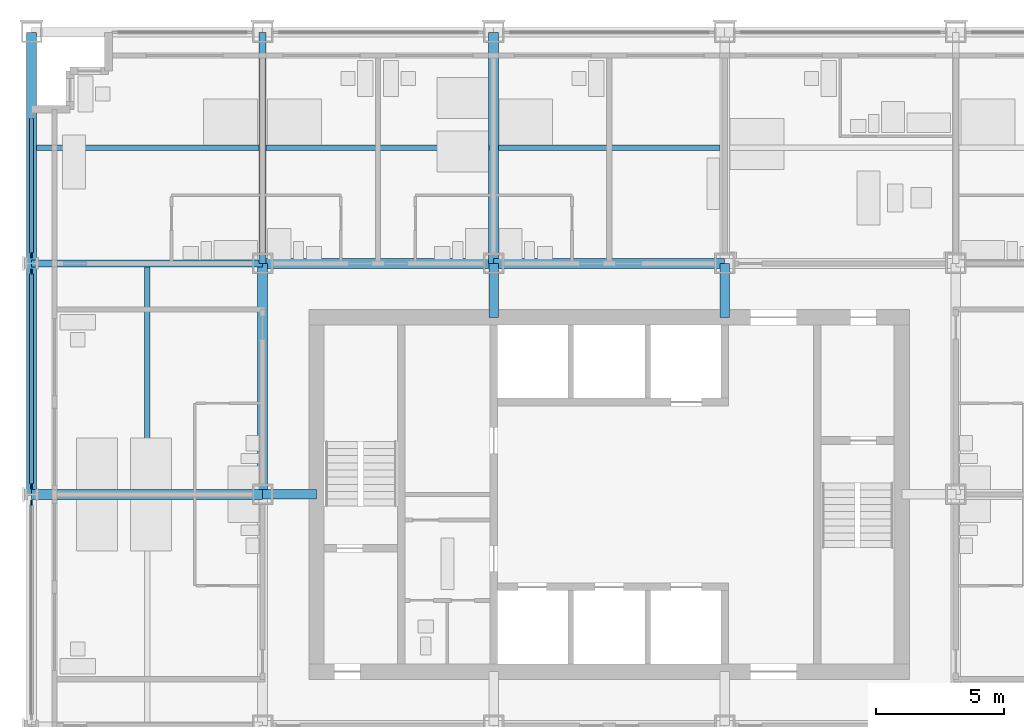
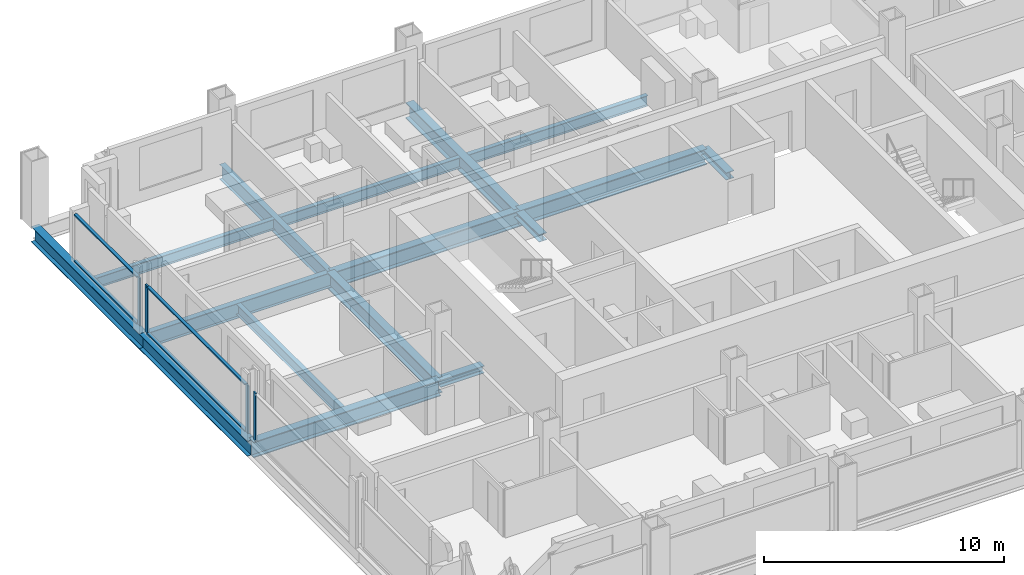
# One storey, part 4 of 16: 13 beams, 11 members, 3 elements without a shape of their own.
"""IFC4 building model written with IfcOpenShell, lengths in metres."""

from ifc_helpers import new_model, si_unit, direction, frame, origin, origin_2d, place, context, subcontext, project, spatial, rectangle, i_section, extrude, material, material_profile, profile_set, type_object, element, aggregate, save


model = new_model("IFC4")

# Units and contexts
model_context = context("Model", 3, precision=1e-05, world=origin(), true_north=direction((0.0, 1.0)))
body_context = subcontext(model_context, "Body", "Model", "MODEL_VIEW")
ifc_project = project(units=[si_unit("LENGTHUNIT", "METRE"), si_unit("AREAUNIT", "SQUARE_METRE"), si_unit("VOLUMEUNIT", "CUBIC_METRE"), si_unit("PLANEANGLEUNIT", "RADIAN"), si_unit("MASSUNIT", "GRAM", prefix="KILO")], contexts=[model_context])

# Site, building, storey
site_placement = place(None, origin())
site = spatial("IfcSite", under=ifc_project, at=site_placement, CompositionType="ELEMENT")
building_placement = place(site_placement, origin())
building = spatial("IfcBuilding", under=site, at=building_placement, Name="Loomwork Tower", CompositionType="ELEMENT")
storey_placement = place(building_placement, frame((0.0, 0.0, 135.0)))
storey = spatial("IfcBuildingStorey", under=building, at=storey_placement, Name="L36", CompositionType="ELEMENT", Elevation=135.0)

# Beams
ifc_material_1 = material(Name="Steel ASTM A992", Category="steel")
ifc_material_profile_1 = material_profile(ifc_material_1, i_section(OverallWidth=0.383544921875, OverallDepth=0.794921875, WebThickness=0.02099609375, FlangeThickness=0.0380859375, at=origin_2d()), Name="W30x235")
ifc_profile_set_1 = profile_set([ifc_material_profile_1], Name="Steel ASTM A992")
beam_type_1 = type_object("IfcBeamType", Name="CORE FLANK GIRDER W30x235", PredefinedType="BEAM", material=ifc_profile_set_1)
for number, where, z_axis, x_axis, name in (
    (1, (0.0, 18.0, -0.597412109375), (1.0, 0.0, 0.0), (0.0, 1.0, 0.0), "Core Flank Girder F/2-F/3 L36"),
    (2, (9.0, 27.0, -0.597412109375), (1.0, 0.0, 0.0), (0.0, 1.0, 0.0), "Core Flank Girder G/3-G/4 L36"),
    (3, (18.0, 27.0, -0.597412109375), (1.0, 0.0, 0.0), (0.0, 1.0, 0.0), "Core Flank Girder G/4-G/5 L36"),
    (4, (9.0, 18.0, -0.597412109375), (0.0, 1.0, 0.0), (-1.0, 0.0, 0.0), "Core Flank Girder F/3-G/3 L36"),
    (5, (18.0, 27.0, -0.597412109375), (0.0, 1.0, 0.0), (-1.0, 0.0, 0.0), "Core Flank Girder G/4-H/4 L36"),
):
    element("IfcBeam", number, at=place(storey_placement, frame(where, z_axis=z_axis, x_axis=x_axis)), inside=storey, type_object=beam_type_1, Name=name, PredefinedType="BEAM", context=body_context, shape_type="SweptSolid", body=[
        extrude(i_section(OverallWidth=0.383544921875, OverallDepth=0.794921875, WebThickness=0.02099609375, FlangeThickness=0.0380859375, at=origin_2d()), origin(), (0.0, 0.0, 1.0), 9.0),
    ])

# Members
ifc_material_2 = material(Name="Steel ASTM A992", Category="steel")
ifc_material_profile_2 = material_profile(ifc_material_2, i_section(OverallWidth=0.373291015625, OverallDepth=0.373291015625, WebThickness=0.016357421875, FlangeThickness=0.026123046875, at=origin_2d()), Name="W14x132")
ifc_profile_set_2 = profile_set([ifc_material_profile_2], Name="Steel ASTM A992")
member_type_1 = type_object("IfcMemberType", Name="CORE LINK STRUT W14x132", PredefinedType="STRUT", material=ifc_profile_set_2)
for number, where, z_axis, x_axis, name in (
    (6, (27.0, 27.0, -0.38671875), (0.0, -1.0, 0.0), (1.0, 0.0, 0.0), "Core link strut G/5-27.000,24.900 L36"),
    (7, (18.0, 27.0, -0.38671875), (0.0, -1.0, 0.0), (1.0, 0.0, 0.0), "Core link strut G/4-18.000,24.900 L36"),
    (8, (9.0, 18.0, -0.38671875), (1.0, 0.0, 0.0), (0.0, 1.0, 0.0), "Core link strut F/3-11.100,18.000 L36"),
):
    element("IfcMember", number, at=place(storey_placement, frame(where, z_axis=z_axis, x_axis=x_axis)), inside=storey, type_object=member_type_1, Name=name, PredefinedType="STRUT", context=body_context, shape_type="SweptSolid", body=[
        extrude(i_section(OverallWidth=0.373291015625, OverallDepth=0.373291015625, WebThickness=0.016357421875, FlangeThickness=0.026123046875, at=origin_2d()), origin(), (0.0, 0.0, 1.0), 2.10009765625),
    ])

# Beams
ifc_material_3 = material(Name="Steel ASTM A992", Category="steel")
ifc_material_profile_3 = material_profile(ifc_material_3, i_section(OverallWidth=0.2666015625, OverallDepth=0.761962890625, WebThickness=0.014404296875, FlangeThickness=0.021484375, at=origin_2d()), Name="W30x116")
ifc_profile_set_3 = profile_set([ifc_material_profile_3], Name="Steel ASTM A992")
beam_type_2 = type_object("IfcBeamType", Name="FLOOR GIRDER W30x116", PredefinedType="BEAM", material=ifc_profile_set_3)
for number, where, z_axis, x_axis, name in (
    (9, (0.0, 27.0, -0.5810546875), (1.0, 0.0, 0.0), (0.0, 1.0, 0.0), "Floor Girder G/2-G/3 L36"),
    (10, (9.0, 27.0, -0.5810546875), (0.0, 1.0, 0.0), (-1.0, 0.0, 0.0), "Floor Girder G/3-H/3 L36"),
):
    element("IfcBeam", number, at=place(storey_placement, frame(where, z_axis=z_axis, x_axis=x_axis)), inside=storey, type_object=beam_type_2, Name=name, PredefinedType="BEAM", context=body_context, shape_type="SweptSolid", body=[
        extrude(i_section(OverallWidth=0.2666015625, OverallDepth=0.761962890625, WebThickness=0.014404296875, FlangeThickness=0.021484375, at=origin_2d()), origin(), (0.0, 0.0, 1.0), 9.0),
    ])
ifc_material_4 = material(Name="Steel ASTM A992", Category="steel")
ifc_material_profile_4 = material_profile(ifc_material_4, i_section(OverallWidth=0.2109375, OverallDepth=0.53857421875, WebThickness=0.011474609375, FlangeThickness=0.018798828125, at=origin_2d()), Name="W21x73")
ifc_profile_set_4 = profile_set([ifc_material_profile_4], Name="Steel ASTM A992")
beam_type_3 = type_object("IfcBeamType", Name="FLOOR JOIST W21x73", PredefinedType="JOIST", material=ifc_profile_set_4)
beam_1_placement = place(storey_placement, frame((4.5, 18.19091796875, -0.46923828125), z_axis=(0.0, 1.0, 0.0), x_axis=(-1.0, 0.0, 0.0)))
element("IfcBeam", 11, at=beam_1_placement, inside=storey, type_object=beam_type_3, Name="Floor Joist 4.500,18.000-4.500,27.000 L36", PredefinedType="JOIST", context=body_context, shape_type="SweptSolid", body=[
    extrude(i_section(OverallWidth=0.2109375, OverallDepth=0.53857421875, WebThickness=0.011474609375, FlangeThickness=0.018798828125, at=origin_2d()), origin(), (0.0, 0.0, 1.0), 8.676025390625),
])
beam_2_placement = place(storey_placement, frame((0.18994140625, 31.5, -0.46923828125), z_axis=(1.0, 0.0, 0.0), x_axis=(0.0, 1.0, 0.0)))
element("IfcBeam", 12, at=beam_2_placement, inside=storey, type_object=beam_type_3, Name="Floor Joist 0.000,31.500-9.000,31.500 L36", PredefinedType="JOIST", context=body_context, shape_type="SweptSolid", body=[
    extrude(i_section(OverallWidth=0.2109375, OverallDepth=0.53857421875, WebThickness=0.011474609375, FlangeThickness=0.018798828125, at=origin_2d()), origin(), (0.0, 0.0, 1.0), 8.677001953125),
])
beam_3_placement = place(storey_placement, frame((9.133056640625, 31.5, -0.46923828125), z_axis=(1.0, 0.0, 0.0), x_axis=(0.0, 1.0, 0.0)))
element("IfcBeam", 13, at=beam_3_placement, inside=storey, type_object=beam_type_3, Name="Floor Joist 9.000,31.500-18.000,31.500 L36", PredefinedType="JOIST", context=body_context, shape_type="SweptSolid", body=[
    extrude(i_section(OverallWidth=0.2109375, OverallDepth=0.53857421875, WebThickness=0.011474609375, FlangeThickness=0.018798828125, at=origin_2d()), origin(), (0.0, 0.0, 1.0), 8.676025390625),
])
beam_4_placement = place(storey_placement, frame((18.19091796875, 31.5, -0.46923828125), z_axis=(1.0, 0.0, 0.0), x_axis=(0.0, 1.0, 0.0)))
element("IfcBeam", 14, at=beam_4_placement, inside=storey, type_object=beam_type_3, Name="Floor Joist 18.000,31.500-27.000,31.500 L36", PredefinedType="JOIST", context=body_context, shape_type="SweptSolid", body=[
    extrude(i_section(OverallWidth=0.2109375, OverallDepth=0.53857421875, WebThickness=0.011474609375, FlangeThickness=0.018798828125, at=origin_2d()), origin(), (0.0, 0.0, 1.0), 8.6181640625),
])

# Curtain wall, member
ifc_material_5 = material(Name="Aluminium curtain wall frame", Category="aluminium")
curtain_wall_type = type_object("IfcCurtainWallType", Name="Outer skin glazing hotel", PredefinedType="NOTDEFINED", material=ifc_material_5)
curtain_wall_1_placement = place(storey_placement, origin())
curtain_wall_1 = element("IfcCurtainWall", 15, at=curtain_wall_1_placement, inside=storey, type_object=curtain_wall_type, Name="Outer skin glazing hotel cw/W-9", PredefinedType="NOTDEFINED")
ifc_material_6 = material(Name="Aluminium curtain wall frame", Category="aluminium")
ifc_material_profile_5 = material_profile(ifc_material_6, rectangle(XDim=0.06494140625, YDim=0.199951171875, at=origin_2d()), Name="AL 65x200")
ifc_profile_set_5 = profile_set([ifc_material_profile_5], Name="Aluminium curtain wall frame")
member_type_2 = type_object("IfcMemberType", Name="Outer skin glazing hotel mullion", PredefinedType="MULLION", material=ifc_profile_set_5)
member_1_placement = place(storey_placement, frame((0.0, 17.678955078125, 0.0), z_axis=(0.0, 0.0, 1.0), x_axis=(1.0, 0.0, 0.0)))
member_1 = element("IfcMember", 16, at=member_1_placement, type_object=member_type_2, Name="CW1 mullion 1", PredefinedType="MULLION", context=body_context, shape_type="SweptSolid", body=[
    extrude(rectangle(XDim=0.06494140625, YDim=0.199951171875, at=origin_2d()), origin(), (0.0, 0.0, 1.0), 2.420166015625),
])
aggregate(curtain_wall_1, [member_1])

# Curtain wall, members
curtain_wall_2_placement = place(storey_placement, origin())
curtain_wall_2 = element("IfcCurtainWall", 17, at=curtain_wall_2_placement, inside=storey, type_object=curtain_wall_type, Name="Outer skin glazing hotel cw/W-18", PredefinedType="NOTDEFINED")
member_2_placement = place(storey_placement, frame((0.0, 26.678955078125, 0.0), z_axis=(0.0, 0.0, 1.0), x_axis=(1.0, 0.0, 0.0)))
member_2 = element("IfcMember", 18, at=member_2_placement, type_object=member_type_2, Name="CW1 mullion 1", PredefinedType="MULLION", context=body_context, shape_type="SweptSolid", body=[
    extrude(rectangle(XDim=0.06494140625, YDim=0.199951171875, at=origin_2d()), origin(), (0.0, 0.0, 1.0), 2.420166015625),
])
member_3_placement = place(storey_placement, frame((0.0, 18.321044921875, 0.0), z_axis=(0.0, 0.0, 1.0), x_axis=(1.0, 0.0, 0.0)))
member_3 = element("IfcMember", 19, at=member_3_placement, type_object=member_type_2, Name="CW1 mullion 2", PredefinedType="MULLION", context=body_context, shape_type="SweptSolid", body=[
    extrude(rectangle(XDim=0.06494140625, YDim=0.199951171875, at=origin_2d()), origin(), (0.0, 0.0, 1.0), 2.420166015625),
])

# Curtain wall, member
curtain_wall_3_placement = place(storey_placement, origin())
curtain_wall_3 = element("IfcCurtainWall", 20, at=curtain_wall_3_placement, inside=storey, type_object=curtain_wall_type, Name="Outer skin glazing hotel cw/W-27", PredefinedType="NOTDEFINED")
member_4_placement = place(storey_placement, frame((0.0, 27.321044921875, 0.0), z_axis=(0.0, 0.0, 1.0), x_axis=(1.0, 0.0, 0.0)))
member_4 = element("IfcMember", 21, at=member_4_placement, type_object=member_type_2, Name="CW1 mullion 2", PredefinedType="MULLION", context=body_context, shape_type="SweptSolid", body=[
    extrude(rectangle(XDim=0.06494140625, YDim=0.199951171875, at=origin_2d()), origin(), (0.0, 0.0, 1.0), 2.420166015625),
])

# Member
ifc_material_7 = material(Name="Aluminium curtain wall frame", Category="aluminium")
ifc_material_profile_6 = material_profile(ifc_material_7, rectangle(XDim=0.14990234375, YDim=0.06494140625, at=origin_2d()), Name="AL 65x150")
ifc_profile_set_6 = profile_set([ifc_material_profile_6], Name="Aluminium curtain wall frame")
member_type_3 = type_object("IfcMemberType", Name="Outer skin glazing hotel transom", PredefinedType="USERDEFINED", material=ifc_profile_set_6)
member_5_placement = place(storey_placement, frame((0.0, 26.5791015625, 0.032470703125), z_axis=(0.0, -1.0, 0.0), x_axis=(1.0, 0.0, 0.0)))
member_5 = element("IfcMember", 22, at=member_5_placement, type_object=member_type_3, Name="CW1 transom 1.1", ObjectType="TRANSOM", PredefinedType="USERDEFINED", context=body_context, shape_type="SweptSolid", body=[
    extrude(rectangle(XDim=0.14990234375, YDim=0.06494140625, at=origin_2d()), origin(), (0.0, 0.0, 1.0), 8.158203125),
])

member_6_placement = place(storey_placement, frame((0.0, 26.5791015625, 2.3876953125), z_axis=(0.0, -1.0, 0.0), x_axis=(1.0, 0.0, 0.0)))
member_6 = element("IfcMember", 23, at=member_6_placement, type_object=member_type_3, Name="CW1 transom 1.2", ObjectType="TRANSOM", PredefinedType="USERDEFINED", context=body_context, shape_type="SweptSolid", body=[
    extrude(rectangle(XDim=0.14990234375, YDim=0.06494140625, at=origin_2d()), origin(), (0.0, 0.0, 1.0), 8.158203125),
])

aggregate(curtain_wall_2, [member_2, member_3, member_5, member_6])

member_7_placement = place(storey_placement, frame((0.0, 32.64990234375, 0.032470703125), z_axis=(0.0, -1.0, 0.0), x_axis=(1.0, 0.0, 0.0)))
member_7 = element("IfcMember", 24, at=member_7_placement, type_object=member_type_3, Name="CW1 transom 1.1", ObjectType="TRANSOM", PredefinedType="USERDEFINED", context=body_context, shape_type="SweptSolid", body=[
    extrude(rectangle(XDim=0.14990234375, YDim=0.06494140625, at=origin_2d()), origin(), (0.0, 0.0, 1.0), 5.22900390625),
])

member_8_placement = place(storey_placement, frame((0.0, 32.64990234375, 2.3876953125), z_axis=(0.0, -1.0, 0.0), x_axis=(1.0, 0.0, 0.0)))
member_8 = element("IfcMember", 25, at=member_8_placement, type_object=member_type_3, Name="CW1 transom 1.2", ObjectType="TRANSOM", PredefinedType="USERDEFINED", context=body_context, shape_type="SweptSolid", body=[
    extrude(rectangle(XDim=0.14990234375, YDim=0.06494140625, at=origin_2d()), origin(), (0.0, 0.0, 1.0), 5.22900390625),
])

aggregate(curtain_wall_3, [member_4, member_7, member_8])

# Beams
ifc_material_8 = material(Name="Steel ASTM A992", Category="steel")
ifc_material_profile_7 = material_profile(ifc_material_8, i_section(OverallWidth=0.381103515625, OverallDepth=0.77978515625, WebThickness=0.01806640625, FlangeThickness=0.0302734375, at=origin_2d()), Name="W30x191")
ifc_profile_set_7 = profile_set([ifc_material_profile_7], Name="Steel ASTM A992")
beam_type_4 = type_object("IfcBeamType", Name="SPANDREL GIRDER W30x191", PredefinedType="SPANDREL", material=ifc_profile_set_7)
for number, where, z_axis, x_axis, name in (
    (26, (0.0, 18.0, -0.58984375), (0.0, 1.0, 0.0), (-1.0, 0.0, 0.0), "Spandrel Girder F/2-G/2 L36"),
    (27, (0.0, 27.0, -0.58984375), (0.0, 1.0, 0.0), (-1.0, 0.0, 0.0), "Spandrel Girder G/2-H/2 L36"),
):
    element("IfcBeam", number, at=place(storey_placement, frame(where, z_axis=z_axis, x_axis=x_axis)), inside=storey, type_object=beam_type_4, Name=name, PredefinedType="SPANDREL", context=body_context, shape_type="SweptSolid", body=[
        extrude(i_section(OverallWidth=0.381103515625, OverallDepth=0.77978515625, WebThickness=0.01806640625, FlangeThickness=0.0302734375, at=origin_2d()), origin(), (0.0, 0.0, 1.0), 9.0),
    ])

save(model, "model.ifc")
